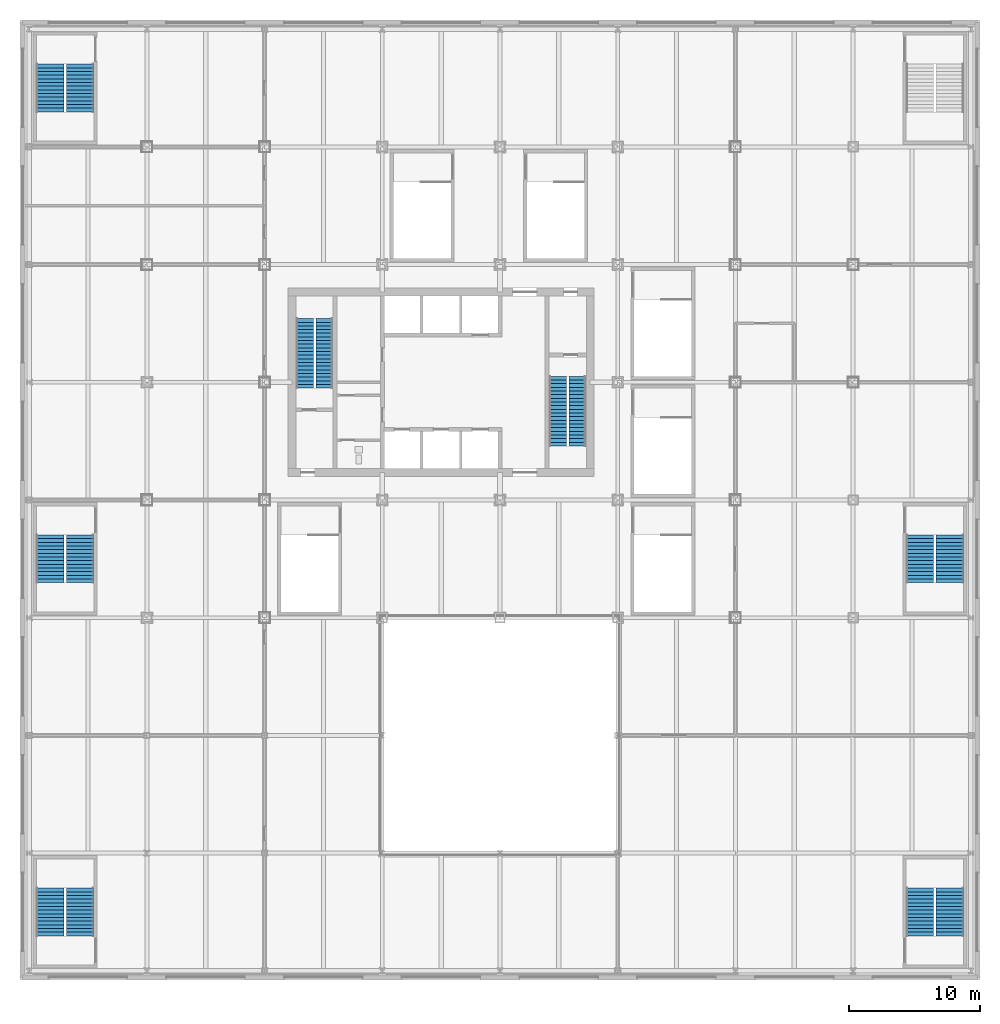
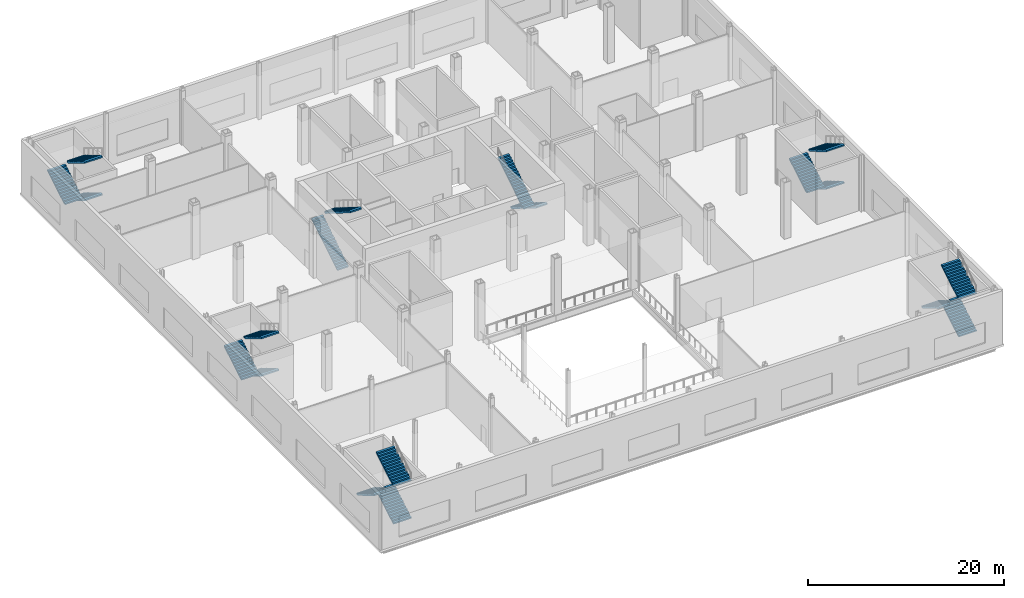
# One storey, part 16 of 32: 19 stair flights, 7 elements without a shape of their own.
"""IFC4 building model written with IfcOpenShell, lengths in metres."""

from ifc_helpers import new_model, si_unit, direction, frame, origin, place, context, subcontext, project, spatial, polyline, outline, extrude, material, type_object, element, aggregate, save


model = new_model("IFC4")

# Units and contexts
model_context = context("Model", 3, precision=1e-05, world=origin(), true_north=direction((0.0, 1.0)))
body_context = subcontext(model_context, "Body", "Model", "MODEL_VIEW")
ifc_project = project(units=[si_unit("LENGTHUNIT", "METRE"), si_unit("AREAUNIT", "SQUARE_METRE"), si_unit("VOLUMEUNIT", "CUBIC_METRE"), si_unit("PLANEANGLEUNIT", "RADIAN"), si_unit("MASSUNIT", "GRAM", prefix="KILO")], contexts=[model_context])

# Site, building, storey
site_placement = place(None, origin())
site = spatial("IfcSite", under=ifc_project, at=site_placement, CompositionType="ELEMENT")
building_placement = place(site_placement, origin())
building = spatial("IfcBuilding", under=site, at=building_placement, Name="Loomwork Tower", CompositionType="ELEMENT")
storey_placement = place(building_placement, frame((0.0, 0.0, 16.0)))
storey = spatial("IfcBuildingStorey", under=building, at=storey_placement, Name="L03", CompositionType="ELEMENT", Elevation=16.0)

# Stair, stair flights
ifc_material_1 = material(Name="Concrete 5000 psi (34 MPa) precast stair", Category="concrete")
stair_type_1 = type_object("IfcStairType", Name="Stair ST-A 40 risers 2850 wide", PredefinedType="HALF_TURN_STAIR", material=ifc_material_1)
stair_1_placement = place(storey_placement, origin())
stair_1 = element("IfcStair", 1, at=stair_1_placement, inside=storey, type_object=stair_type_1, Name="Stair A L03", PredefinedType="HALF_TURN_STAIR")
ifc_material_2 = material(Name="Concrete 5000 psi (34 MPa) precast stair", Category="concrete")
stair_flight_type_1 = type_object("IfcStairFlightType", Name="Stair flight ST-A 20 risers 1300 wide", PredefinedType="STRAIGHT", material=ifc_material_2)
stair_flight_1_placement = place(storey_placement, frame((12.074951171875, 17.550048828125, 0.0), z_axis=(0.0, 0.0, 1.0), x_axis=(0.0, 1.0, 0.0)))
stair_flight_1 = element("IfcStairFlight", 2, at=stair_flight_1_placement, type_object=stair_flight_type_1, Name="ST-A flight 1", NumberOfRisers=20, NumberOfTreads=19, PredefinedType="STRAIGHT", RiserHeight=0.175, TreadLength=0.28, context=body_context, shape_type="SweptSolid", body=[
    extrude(outline(polyline([(0.0, 0.0), (0.0, 0.175048828125), (0.280029296875, 0.175048828125), (0.280029296875, 0.35009765625), (0.56005859375, 0.35009765625), (0.56005859375, 0.52490234375), (0.840087890625, 0.52490234375), (0.840087890625, 0.699951171875), (1.1201171875, 0.699951171875), (1.1201171875, 0.875), (1.39990234375, 0.875), (1.39990234375, 1.050048828125), (1.679931640625, 1.050048828125), (1.679931640625, 1.22509765625), (1.9599609375, 1.22509765625), (1.9599609375, 1.39990234375), (2.239990234375, 1.39990234375), (2.239990234375, 1.574951171875), (2.52001953125, 1.574951171875), (2.52001953125, 1.75), (2.800048828125, 1.75), (2.800048828125, 1.925048828125), (3.080078125, 1.925048828125), (3.080078125, 2.10009765625), (3.360107421875, 2.10009765625), (3.360107421875, 2.27490234375), (3.639892578125, 2.27490234375), (3.639892578125, 2.449951171875), (3.919921875, 2.449951171875), (3.919921875, 2.625), (4.199951171875, 2.625), (4.199951171875, 2.800048828125), (4.47998046875, 2.800048828125), (4.47998046875, 2.97509765625), (4.760009765625, 2.97509765625), (4.760009765625, 3.14990234375), (5.0400390625, 3.14990234375), (5.0400390625, 3.324951171875), (5.320068359375, 3.324951171875), (5.320068359375, 3.5), (5.320068359375, 3.148193359375), (0.28271484375, 0.0), (0.0, 0.0)])), frame((0.0, 0.64990234375, 0.0), z_axis=(0.0, -1.0, 0.0), x_axis=(1.0, 0.0, 0.0)), (0.0, 0.0, 1.0), 1.300048828125),
])
stair_flight_2_placement = place(storey_placement, frame((13.574951171875, 22.8701171875, 3.5), z_axis=(0.0, 0.0, 1.0), x_axis=(0.0, -1.0, 0.0)))
stair_flight_2 = element("IfcStairFlight", 3, at=stair_flight_2_placement, type_object=stair_flight_type_1, Name="ST-A flight 2", NumberOfRisers=20, NumberOfTreads=19, PredefinedType="STRAIGHT", RiserHeight=0.175, TreadLength=0.28, context=body_context, shape_type="SweptSolid", body=[
    extrude(outline(polyline([(0.0, 0.0), (0.0, 0.175048828125), (0.280029296875, 0.175048828125), (0.280029296875, 0.35009765625), (0.56005859375, 0.35009765625), (0.56005859375, 0.52490234375), (0.840087890625, 0.52490234375), (0.840087890625, 0.699951171875), (1.1201171875, 0.699951171875), (1.1201171875, 0.875), (1.39990234375, 0.875), (1.39990234375, 1.050048828125), (1.679931640625, 1.050048828125), (1.679931640625, 1.22509765625), (1.9599609375, 1.22509765625), (1.9599609375, 1.39990234375), (2.239990234375, 1.39990234375), (2.239990234375, 1.574951171875), (2.52001953125, 1.574951171875), (2.52001953125, 1.75), (2.800048828125, 1.75), (2.800048828125, 1.925048828125), (3.080078125, 1.925048828125), (3.080078125, 2.10009765625), (3.360107421875, 2.10009765625), (3.360107421875, 2.27490234375), (3.639892578125, 2.27490234375), (3.639892578125, 2.449951171875), (3.919921875, 2.449951171875), (3.919921875, 2.625), (4.199951171875, 2.625), (4.199951171875, 2.800048828125), (4.47998046875, 2.800048828125), (4.47998046875, 2.97509765625), (4.760009765625, 2.97509765625), (4.760009765625, 3.14990234375), (5.0400390625, 3.14990234375), (5.0400390625, 3.324951171875), (5.320068359375, 3.324951171875), (5.320068359375, 3.5), (5.320068359375, 3.148193359375), (0.28271484375, 0.0), (0.0, 0.0)])), frame((0.0, 0.64990234375, 0.0), z_axis=(0.0, -1.0, 0.0), x_axis=(1.0, 0.0, 0.0)), (0.0, 0.0, 1.0), 1.300048828125),
])
aggregate(stair_1, [stair_flight_1, stair_flight_2])

ifc_material_3 = material(Name="Concrete 5000 psi (34 MPa) precast stair", Category="concrete")
stair_type_2 = type_object("IfcStairType", Name="Stair ST-B 40 risers 2850 wide", PredefinedType="HALF_TURN_STAIR", material=ifc_material_3)
stair_2_placement = place(storey_placement, origin())
stair_2 = element("IfcStair", 4, at=stair_2_placement, inside=storey, type_object=stair_type_2, Name="Stair B L03", PredefinedType="HALF_TURN_STAIR")
ifc_material_4 = material(Name="Concrete 5000 psi (34 MPa) precast stair", Category="concrete")
stair_flight_type_2 = type_object("IfcStairFlightType", Name="Stair flight ST-B 20 risers 1300 wide", PredefinedType="STRAIGHT", material=ifc_material_4)
stair_flight_3_placement = place(storey_placement, frame((32.925048828125, 18.449951171875, 0.0), z_axis=(0.0, 0.0, 1.0), x_axis=(0.0, -1.0, 0.0)))
stair_flight_3 = element("IfcStairFlight", 5, at=stair_flight_3_placement, type_object=stair_flight_type_2, Name="ST-B flight 1", NumberOfRisers=20, NumberOfTreads=19, PredefinedType="STRAIGHT", RiserHeight=0.175, TreadLength=0.28, context=body_context, shape_type="SweptSolid", body=[
    extrude(outline(polyline([(0.0, 0.0), (0.0, 0.175048828125), (0.280029296875, 0.175048828125), (0.280029296875, 0.35009765625), (0.56005859375, 0.35009765625), (0.56005859375, 0.52490234375), (0.840087890625, 0.52490234375), (0.840087890625, 0.699951171875), (1.1201171875, 0.699951171875), (1.1201171875, 0.875), (1.39990234375, 0.875), (1.39990234375, 1.050048828125), (1.679931640625, 1.050048828125), (1.679931640625, 1.22509765625), (1.9599609375, 1.22509765625), (1.9599609375, 1.39990234375), (2.239990234375, 1.39990234375), (2.239990234375, 1.574951171875), (2.52001953125, 1.574951171875), (2.52001953125, 1.75), (2.800048828125, 1.75), (2.800048828125, 1.925048828125), (3.080078125, 1.925048828125), (3.080078125, 2.10009765625), (3.360107421875, 2.10009765625), (3.360107421875, 2.27490234375), (3.639892578125, 2.27490234375), (3.639892578125, 2.449951171875), (3.919921875, 2.449951171875), (3.919921875, 2.625), (4.199951171875, 2.625), (4.199951171875, 2.800048828125), (4.47998046875, 2.800048828125), (4.47998046875, 2.97509765625), (4.760009765625, 2.97509765625), (4.760009765625, 3.14990234375), (5.0400390625, 3.14990234375), (5.0400390625, 3.324951171875), (5.320068359375, 3.324951171875), (5.320068359375, 3.5), (5.320068359375, 3.148193359375), (0.28271484375, 0.0), (0.0, 0.0)])), frame((0.0, 0.64990234375, 0.0), z_axis=(0.0, -1.0, 0.0), x_axis=(1.0, 0.0, 0.0)), (0.0, 0.0, 1.0), 1.300048828125),
])
stair_flight_4_placement = place(storey_placement, frame((31.425048828125, 13.1298828125, 3.5), z_axis=(0.0, 0.0, 1.0), x_axis=(0.0, 1.0, 0.0)))
stair_flight_4 = element("IfcStairFlight", 6, at=stair_flight_4_placement, type_object=stair_flight_type_2, Name="ST-B flight 2", NumberOfRisers=20, NumberOfTreads=19, PredefinedType="STRAIGHT", RiserHeight=0.175, TreadLength=0.28, context=body_context, shape_type="SweptSolid", body=[
    extrude(outline(polyline([(0.0, 0.0), (0.0, 0.175048828125), (0.280029296875, 0.175048828125), (0.280029296875, 0.35009765625), (0.56005859375, 0.35009765625), (0.56005859375, 0.52490234375), (0.840087890625, 0.52490234375), (0.840087890625, 0.699951171875), (1.1201171875, 0.699951171875), (1.1201171875, 0.875), (1.39990234375, 0.875), (1.39990234375, 1.050048828125), (1.679931640625, 1.050048828125), (1.679931640625, 1.22509765625), (1.9599609375, 1.22509765625), (1.9599609375, 1.39990234375), (2.239990234375, 1.39990234375), (2.239990234375, 1.574951171875), (2.52001953125, 1.574951171875), (2.52001953125, 1.75), (2.800048828125, 1.75), (2.800048828125, 1.925048828125), (3.080078125, 1.925048828125), (3.080078125, 2.10009765625), (3.360107421875, 2.10009765625), (3.360107421875, 2.27490234375), (3.639892578125, 2.27490234375), (3.639892578125, 2.449951171875), (3.919921875, 2.449951171875), (3.919921875, 2.625), (4.199951171875, 2.625), (4.199951171875, 2.800048828125), (4.47998046875, 2.800048828125), (4.47998046875, 2.97509765625), (4.760009765625, 2.97509765625), (4.760009765625, 3.14990234375), (5.0400390625, 3.14990234375), (5.0400390625, 3.324951171875), (5.320068359375, 3.324951171875), (5.320068359375, 3.5), (5.320068359375, 3.148193359375), (0.28271484375, 0.0), (0.0, 0.0)])), frame((0.0, 0.64990234375, 0.0), z_axis=(0.0, -1.0, 0.0), x_axis=(1.0, 0.0, 0.0)), (0.0, 0.0, 1.0), 1.300048828125),
])
aggregate(stair_2, [stair_flight_3, stair_flight_4])

ifc_material_5 = material(Name="Concrete 5000 psi (34 MPa) precast stair", Category="concrete")
stair_type_3 = type_object("IfcStairType", Name="Stair ST-S1P 42 risers of 167 4400 wide", PredefinedType="HALF_TURN_STAIR", material=ifc_material_5)
stair_3_placement = place(storey_placement, origin())
stair_3 = element("IfcStair", 7, at=stair_3_placement, inside=storey, type_object=stair_type_3, Name="Podium stair PS1 L03", PredefinedType="HALF_TURN_STAIR")
ifc_material_6 = material(Name="Concrete 5000 psi (34 MPa) precast stair", Category="concrete")
stair_flight_type_3 = type_object("IfcStairFlightType", Name="Stair flight ST-S1P 14 risers of 167 2100 wide", PredefinedType="STRAIGHT", material=ifc_material_6)
stair_flight_5_placement = place(storey_placement, frame((-5.10009765625, -24.320068359375, 0.0), z_axis=(0.0, 0.0, 1.0), x_axis=(0.0, 1.0, 0.0)))
stair_flight_5 = element("IfcStairFlight", 8, at=stair_flight_5_placement, type_object=stair_flight_type_3, Name="ST-S1P flight 1", NumberOfRisers=14, NumberOfTreads=13, PredefinedType="STRAIGHT", RiserHeight=0.166666667, TreadLength=0.28, context=body_context, shape_type="SweptSolid", body=[
    extrude(outline(polyline([(0.0, 0.0), (0.0, 0.166748046875), (0.280029296875, 0.166748046875), (0.280029296875, 0.333251953125), (0.56005859375, 0.333251953125), (0.56005859375, 0.5), (0.840087890625, 0.5), (0.840087890625, 0.666748046875), (1.1201171875, 0.666748046875), (1.1201171875, 0.833251953125), (1.39990234375, 0.833251953125), (1.39990234375, 1.0), (1.679931640625, 1.0), (1.679931640625, 1.166748046875), (1.9599609375, 1.166748046875), (1.9599609375, 1.333251953125), (2.239990234375, 1.333251953125), (2.239990234375, 1.5), (2.52001953125, 1.5), (2.52001953125, 1.666748046875), (2.800048828125, 1.666748046875), (2.800048828125, 1.833251953125), (3.080078125, 1.833251953125), (3.080078125, 2.0), (3.360107421875, 2.0), (3.360107421875, 2.166748046875), (3.639892578125, 2.166748046875), (3.639892578125, 2.333251953125), (3.639892578125, 1.9921875), (0.29296875, 0.0), (0.0, 0.0)])), frame((0.0, 1.050048828125, 0.0), z_axis=(0.0, -1.0, 0.0), x_axis=(1.0, 0.0, 0.0)), (0.0, 0.0, 1.0), 2.10009765625),
])
stair_flight_6_placement = place(storey_placement, frame((-7.39990234375, -20.679931640625, 2.333251953125), z_axis=(0.0, 0.0, 1.0), x_axis=(0.0, -1.0, 0.0)))
stair_flight_6 = element("IfcStairFlight", 9, at=stair_flight_6_placement, type_object=stair_flight_type_3, Name="ST-S1P flight 2", NumberOfRisers=14, NumberOfTreads=13, PredefinedType="STRAIGHT", RiserHeight=0.166666667, TreadLength=0.28, context=body_context, shape_type="SweptSolid", body=[
    extrude(outline(polyline([(0.0, 0.0), (0.0, 0.166748046875), (0.280029296875, 0.166748046875), (0.280029296875, 0.333251953125), (0.56005859375, 0.333251953125), (0.56005859375, 0.5), (0.840087890625, 0.5), (0.840087890625, 0.666748046875), (1.1201171875, 0.666748046875), (1.1201171875, 0.833251953125), (1.39990234375, 0.833251953125), (1.39990234375, 1.0), (1.679931640625, 1.0), (1.679931640625, 1.166748046875), (1.9599609375, 1.166748046875), (1.9599609375, 1.333251953125), (2.239990234375, 1.333251953125), (2.239990234375, 1.5), (2.52001953125, 1.5), (2.52001953125, 1.666748046875), (2.800048828125, 1.666748046875), (2.800048828125, 1.833251953125), (3.080078125, 1.833251953125), (3.080078125, 2.0), (3.360107421875, 2.0), (3.360107421875, 2.166748046875), (3.639892578125, 2.166748046875), (3.639892578125, 2.333251953125), (3.639892578125, 1.9921875), (0.29296875, 0.0), (0.0, 0.0)])), frame((0.0, 1.050048828125, 0.0), z_axis=(0.0, -1.0, 0.0), x_axis=(1.0, 0.0, 0.0)), (0.0, 0.0, 1.0), 2.10009765625),
])
stair_flight_7_placement = place(storey_placement, frame((-5.10009765625, -24.320068359375, 4.666748046875), z_axis=(0.0, 0.0, 1.0), x_axis=(0.0, 1.0, 0.0)))
stair_flight_7 = element("IfcStairFlight", 10, at=stair_flight_7_placement, type_object=stair_flight_type_3, Name="ST-S1P flight 3", NumberOfRisers=14, NumberOfTreads=13, PredefinedType="STRAIGHT", RiserHeight=0.166666667, TreadLength=0.28, context=body_context, shape_type="SweptSolid", body=[
    extrude(outline(polyline([(0.0, 0.0), (0.0, 0.166748046875), (0.280029296875, 0.166748046875), (0.280029296875, 0.333251953125), (0.56005859375, 0.333251953125), (0.56005859375, 0.5), (0.840087890625, 0.5), (0.840087890625, 0.666748046875), (1.1201171875, 0.666748046875), (1.1201171875, 0.833251953125), (1.39990234375, 0.833251953125), (1.39990234375, 1.0), (1.679931640625, 1.0), (1.679931640625, 1.166748046875), (1.9599609375, 1.166748046875), (1.9599609375, 1.333251953125), (2.239990234375, 1.333251953125), (2.239990234375, 1.5), (2.52001953125, 1.5), (2.52001953125, 1.666748046875), (2.800048828125, 1.666748046875), (2.800048828125, 1.833251953125), (3.080078125, 1.833251953125), (3.080078125, 2.0), (3.360107421875, 2.0), (3.360107421875, 2.166748046875), (3.639892578125, 2.166748046875), (3.639892578125, 2.333251953125), (3.639892578125, 1.9921875), (0.29296875, 0.0), (0.0, 0.0)])), frame((0.0, 1.050048828125, 0.0), z_axis=(0.0, -1.0, 0.0), x_axis=(1.0, 0.0, 0.0)), (0.0, 0.0, 1.0), 2.10009765625),
])
aggregate(stair_3, [stair_flight_5, stair_flight_6, stair_flight_7])

ifc_material_7 = material(Name="Concrete 5000 psi (34 MPa) precast stair", Category="concrete")
stair_type_4 = type_object("IfcStairType", Name="Stair ST-S2P 42 risers of 167 4400 wide", PredefinedType="HALF_TURN_STAIR", material=ifc_material_7)
stair_4_placement = place(storey_placement, origin())
stair_4 = element("IfcStair", 11, at=stair_4_placement, inside=storey, type_object=stair_type_4, Name="Podium stair PS2 L03", PredefinedType="HALF_TURN_STAIR")
ifc_material_8 = material(Name="Concrete 5000 psi (34 MPa) precast stair", Category="concrete")
stair_flight_type_4 = type_object("IfcStairFlightType", Name="Stair flight ST-S2P 14 risers of 167 2100 wide", PredefinedType="STRAIGHT", material=ifc_material_8)
stair_flight_8_placement = place(storey_placement, frame((61.39990234375, -24.320068359375, 0.0), z_axis=(0.0, 0.0, 1.0), x_axis=(0.0, 1.0, 0.0)))
stair_flight_8 = element("IfcStairFlight", 12, at=stair_flight_8_placement, type_object=stair_flight_type_4, Name="ST-S2P flight 1", NumberOfRisers=14, NumberOfTreads=13, PredefinedType="STRAIGHT", RiserHeight=0.166666667, TreadLength=0.28, context=body_context, shape_type="SweptSolid", body=[
    extrude(outline(polyline([(0.0, 0.0), (0.0, 0.166748046875), (0.280029296875, 0.166748046875), (0.280029296875, 0.333251953125), (0.56005859375, 0.333251953125), (0.56005859375, 0.5), (0.840087890625, 0.5), (0.840087890625, 0.666748046875), (1.1201171875, 0.666748046875), (1.1201171875, 0.833251953125), (1.39990234375, 0.833251953125), (1.39990234375, 1.0), (1.679931640625, 1.0), (1.679931640625, 1.166748046875), (1.9599609375, 1.166748046875), (1.9599609375, 1.333251953125), (2.239990234375, 1.333251953125), (2.239990234375, 1.5), (2.52001953125, 1.5), (2.52001953125, 1.666748046875), (2.800048828125, 1.666748046875), (2.800048828125, 1.833251953125), (3.080078125, 1.833251953125), (3.080078125, 2.0), (3.360107421875, 2.0), (3.360107421875, 2.166748046875), (3.639892578125, 2.166748046875), (3.639892578125, 2.333251953125), (3.639892578125, 1.9921875), (0.29296875, 0.0), (0.0, 0.0)])), frame((0.0, 1.050048828125, 0.0), z_axis=(0.0, -1.0, 0.0), x_axis=(1.0, 0.0, 0.0)), (0.0, 0.0, 1.0), 2.10009765625),
])
stair_flight_9_placement = place(storey_placement, frame((59.10009765625, -20.679931640625, 2.333251953125), z_axis=(0.0, 0.0, 1.0), x_axis=(0.0, -1.0, 0.0)))
stair_flight_9 = element("IfcStairFlight", 13, at=stair_flight_9_placement, type_object=stair_flight_type_4, Name="ST-S2P flight 2", NumberOfRisers=14, NumberOfTreads=13, PredefinedType="STRAIGHT", RiserHeight=0.166666667, TreadLength=0.28, context=body_context, shape_type="SweptSolid", body=[
    extrude(outline(polyline([(0.0, 0.0), (0.0, 0.166748046875), (0.280029296875, 0.166748046875), (0.280029296875, 0.333251953125), (0.56005859375, 0.333251953125), (0.56005859375, 0.5), (0.840087890625, 0.5), (0.840087890625, 0.666748046875), (1.1201171875, 0.666748046875), (1.1201171875, 0.833251953125), (1.39990234375, 0.833251953125), (1.39990234375, 1.0), (1.679931640625, 1.0), (1.679931640625, 1.166748046875), (1.9599609375, 1.166748046875), (1.9599609375, 1.333251953125), (2.239990234375, 1.333251953125), (2.239990234375, 1.5), (2.52001953125, 1.5), (2.52001953125, 1.666748046875), (2.800048828125, 1.666748046875), (2.800048828125, 1.833251953125), (3.080078125, 1.833251953125), (3.080078125, 2.0), (3.360107421875, 2.0), (3.360107421875, 2.166748046875), (3.639892578125, 2.166748046875), (3.639892578125, 2.333251953125), (3.639892578125, 1.9921875), (0.29296875, 0.0), (0.0, 0.0)])), frame((0.0, 1.050048828125, 0.0), z_axis=(0.0, -1.0, 0.0), x_axis=(1.0, 0.0, 0.0)), (0.0, 0.0, 1.0), 2.10009765625),
])
stair_flight_10_placement = place(storey_placement, frame((61.39990234375, -24.320068359375, 4.666748046875), z_axis=(0.0, 0.0, 1.0), x_axis=(0.0, 1.0, 0.0)))
stair_flight_10 = element("IfcStairFlight", 14, at=stair_flight_10_placement, type_object=stair_flight_type_4, Name="ST-S2P flight 3", NumberOfRisers=14, NumberOfTreads=13, PredefinedType="STRAIGHT", RiserHeight=0.166666667, TreadLength=0.28, context=body_context, shape_type="SweptSolid", body=[
    extrude(outline(polyline([(0.0, 0.0), (0.0, 0.166748046875), (0.280029296875, 0.166748046875), (0.280029296875, 0.333251953125), (0.56005859375, 0.333251953125), (0.56005859375, 0.5), (0.840087890625, 0.5), (0.840087890625, 0.666748046875), (1.1201171875, 0.666748046875), (1.1201171875, 0.833251953125), (1.39990234375, 0.833251953125), (1.39990234375, 1.0), (1.679931640625, 1.0), (1.679931640625, 1.166748046875), (1.9599609375, 1.166748046875), (1.9599609375, 1.333251953125), (2.239990234375, 1.333251953125), (2.239990234375, 1.5), (2.52001953125, 1.5), (2.52001953125, 1.666748046875), (2.800048828125, 1.666748046875), (2.800048828125, 1.833251953125), (3.080078125, 1.833251953125), (3.080078125, 2.0), (3.360107421875, 2.0), (3.360107421875, 2.166748046875), (3.639892578125, 2.166748046875), (3.639892578125, 2.333251953125), (3.639892578125, 1.9921875), (0.29296875, 0.0), (0.0, 0.0)])), frame((0.0, 1.050048828125, 0.0), z_axis=(0.0, -1.0, 0.0), x_axis=(1.0, 0.0, 0.0)), (0.0, 0.0, 1.0), 2.10009765625),
])
aggregate(stair_4, [stair_flight_8, stair_flight_9, stair_flight_10])

ifc_material_9 = material(Name="Concrete 5000 psi (34 MPa) precast stair", Category="concrete")
stair_type_5 = type_object("IfcStairType", Name="Stair ST-S3P 42 risers of 167 4400 wide", PredefinedType="HALF_TURN_STAIR", material=ifc_material_9)
stair_5_placement = place(storey_placement, origin())
stair_5 = element("IfcStair", 15, at=stair_5_placement, inside=storey, type_object=stair_type_5, Name="Podium stair PS3 L03", PredefinedType="HALF_TURN_STAIR")
ifc_material_10 = material(Name="Concrete 5000 psi (34 MPa) precast stair", Category="concrete")
stair_flight_type_5 = type_object("IfcStairFlightType", Name="Stair flight ST-S3P 14 risers of 167 2100 wide", PredefinedType="STRAIGHT", material=ifc_material_10)
stair_flight_11_placement = place(storey_placement, frame((-5.10009765625, 42.320068359375, 0.0), z_axis=(0.0, 0.0, 1.0), x_axis=(0.0, -1.0, 0.0)))
stair_flight_11 = element("IfcStairFlight", 16, at=stair_flight_11_placement, type_object=stair_flight_type_5, Name="ST-S3P flight 1", NumberOfRisers=14, NumberOfTreads=13, PredefinedType="STRAIGHT", RiserHeight=0.166666667, TreadLength=0.28, context=body_context, shape_type="SweptSolid", body=[
    extrude(outline(polyline([(0.0, 0.0), (0.0, 0.166748046875), (0.280029296875, 0.166748046875), (0.280029296875, 0.333251953125), (0.56005859375, 0.333251953125), (0.56005859375, 0.5), (0.840087890625, 0.5), (0.840087890625, 0.666748046875), (1.1201171875, 0.666748046875), (1.1201171875, 0.833251953125), (1.39990234375, 0.833251953125), (1.39990234375, 1.0), (1.679931640625, 1.0), (1.679931640625, 1.166748046875), (1.9599609375, 1.166748046875), (1.9599609375, 1.333251953125), (2.239990234375, 1.333251953125), (2.239990234375, 1.5), (2.52001953125, 1.5), (2.52001953125, 1.666748046875), (2.800048828125, 1.666748046875), (2.800048828125, 1.833251953125), (3.080078125, 1.833251953125), (3.080078125, 2.0), (3.360107421875, 2.0), (3.360107421875, 2.166748046875), (3.639892578125, 2.166748046875), (3.639892578125, 2.333251953125), (3.639892578125, 1.9921875), (0.29296875, 0.0), (0.0, 0.0)])), frame((0.0, 1.050048828125, 0.0), z_axis=(0.0, -1.0, 0.0), x_axis=(1.0, 0.0, 0.0)), (0.0, 0.0, 1.0), 2.10009765625),
])
stair_flight_12_placement = place(storey_placement, frame((-7.39990234375, 38.679931640625, 2.333251953125), z_axis=(0.0, 0.0, 1.0), x_axis=(0.0, 1.0, 0.0)))
stair_flight_12 = element("IfcStairFlight", 17, at=stair_flight_12_placement, type_object=stair_flight_type_5, Name="ST-S3P flight 2", NumberOfRisers=14, NumberOfTreads=13, PredefinedType="STRAIGHT", RiserHeight=0.166666667, TreadLength=0.28, context=body_context, shape_type="SweptSolid", body=[
    extrude(outline(polyline([(0.0, 0.0), (0.0, 0.166748046875), (0.280029296875, 0.166748046875), (0.280029296875, 0.333251953125), (0.56005859375, 0.333251953125), (0.56005859375, 0.5), (0.840087890625, 0.5), (0.840087890625, 0.666748046875), (1.1201171875, 0.666748046875), (1.1201171875, 0.833251953125), (1.39990234375, 0.833251953125), (1.39990234375, 1.0), (1.679931640625, 1.0), (1.679931640625, 1.166748046875), (1.9599609375, 1.166748046875), (1.9599609375, 1.333251953125), (2.239990234375, 1.333251953125), (2.239990234375, 1.5), (2.52001953125, 1.5), (2.52001953125, 1.666748046875), (2.800048828125, 1.666748046875), (2.800048828125, 1.833251953125), (3.080078125, 1.833251953125), (3.080078125, 2.0), (3.360107421875, 2.0), (3.360107421875, 2.166748046875), (3.639892578125, 2.166748046875), (3.639892578125, 2.333251953125), (3.639892578125, 1.9921875), (0.29296875, 0.0), (0.0, 0.0)])), frame((0.0, 1.050048828125, 0.0), z_axis=(0.0, -1.0, 0.0), x_axis=(1.0, 0.0, 0.0)), (0.0, 0.0, 1.0), 2.10009765625),
])
stair_flight_13_placement = place(storey_placement, frame((-5.10009765625, 42.320068359375, 4.666748046875), z_axis=(0.0, 0.0, 1.0), x_axis=(0.0, -1.0, 0.0)))
stair_flight_13 = element("IfcStairFlight", 18, at=stair_flight_13_placement, type_object=stair_flight_type_5, Name="ST-S3P flight 3", NumberOfRisers=14, NumberOfTreads=13, PredefinedType="STRAIGHT", RiserHeight=0.166666667, TreadLength=0.28, context=body_context, shape_type="SweptSolid", body=[
    extrude(outline(polyline([(0.0, 0.0), (0.0, 0.166748046875), (0.280029296875, 0.166748046875), (0.280029296875, 0.333251953125), (0.56005859375, 0.333251953125), (0.56005859375, 0.5), (0.840087890625, 0.5), (0.840087890625, 0.666748046875), (1.1201171875, 0.666748046875), (1.1201171875, 0.833251953125), (1.39990234375, 0.833251953125), (1.39990234375, 1.0), (1.679931640625, 1.0), (1.679931640625, 1.166748046875), (1.9599609375, 1.166748046875), (1.9599609375, 1.333251953125), (2.239990234375, 1.333251953125), (2.239990234375, 1.5), (2.52001953125, 1.5), (2.52001953125, 1.666748046875), (2.800048828125, 1.666748046875), (2.800048828125, 1.833251953125), (3.080078125, 1.833251953125), (3.080078125, 2.0), (3.360107421875, 2.0), (3.360107421875, 2.166748046875), (3.639892578125, 2.166748046875), (3.639892578125, 2.333251953125), (3.639892578125, 1.9921875), (0.29296875, 0.0), (0.0, 0.0)])), frame((0.0, 1.050048828125, 0.0), z_axis=(0.0, -1.0, 0.0), x_axis=(1.0, 0.0, 0.0)), (0.0, 0.0, 1.0), 2.10009765625),
])
aggregate(stair_5, [stair_flight_11, stair_flight_12, stair_flight_13])

ifc_material_11 = material(Name="Concrete 5000 psi (34 MPa) precast stair", Category="concrete")
stair_type_6 = type_object("IfcStairType", Name="Stair ST-S5P 42 risers of 167 4400 wide", PredefinedType="HALF_TURN_STAIR", material=ifc_material_11)
stair_6_placement = place(storey_placement, origin())
stair_6 = element("IfcStair", 19, at=stair_6_placement, inside=storey, type_object=stair_type_6, Name="Podium stair PS5 L03", PredefinedType="HALF_TURN_STAIR")
ifc_material_12 = material(Name="Concrete 5000 psi (34 MPa) precast stair", Category="concrete")
stair_flight_type_6 = type_object("IfcStairFlightType", Name="Stair flight ST-S5P 14 risers of 167 2100 wide", PredefinedType="STRAIGHT", material=ifc_material_12)
stair_flight_14_placement = place(storey_placement, frame((-5.10009765625, 6.320068359375, 0.0), z_axis=(0.0, 0.0, 1.0), x_axis=(0.0, -1.0, 0.0)))
stair_flight_14 = element("IfcStairFlight", 20, at=stair_flight_14_placement, type_object=stair_flight_type_6, Name="ST-S5P flight 1", NumberOfRisers=14, NumberOfTreads=13, PredefinedType="STRAIGHT", RiserHeight=0.166666667, TreadLength=0.28, context=body_context, shape_type="SweptSolid", body=[
    extrude(outline(polyline([(0.0, 0.0), (0.0, 0.166748046875), (0.280029296875, 0.166748046875), (0.280029296875, 0.333251953125), (0.56005859375, 0.333251953125), (0.56005859375, 0.5), (0.840087890625, 0.5), (0.840087890625, 0.666748046875), (1.1201171875, 0.666748046875), (1.1201171875, 0.833251953125), (1.39990234375, 0.833251953125), (1.39990234375, 1.0), (1.679931640625, 1.0), (1.679931640625, 1.166748046875), (1.9599609375, 1.166748046875), (1.9599609375, 1.333251953125), (2.239990234375, 1.333251953125), (2.239990234375, 1.5), (2.52001953125, 1.5), (2.52001953125, 1.666748046875), (2.800048828125, 1.666748046875), (2.800048828125, 1.833251953125), (3.080078125, 1.833251953125), (3.080078125, 2.0), (3.360107421875, 2.0), (3.360107421875, 2.166748046875), (3.639892578125, 2.166748046875), (3.639892578125, 2.333251953125), (3.639892578125, 1.9921875), (0.29296875, 0.0), (0.0, 0.0)])), frame((0.0, 1.050048828125, 0.0), z_axis=(0.0, -1.0, 0.0), x_axis=(1.0, 0.0, 0.0)), (0.0, 0.0, 1.0), 2.10009765625),
])
stair_flight_15_placement = place(storey_placement, frame((-7.39990234375, 2.679931640625, 2.333251953125), z_axis=(0.0, 0.0, 1.0), x_axis=(0.0, 1.0, 0.0)))
stair_flight_15 = element("IfcStairFlight", 21, at=stair_flight_15_placement, type_object=stair_flight_type_6, Name="ST-S5P flight 2", NumberOfRisers=14, NumberOfTreads=13, PredefinedType="STRAIGHT", RiserHeight=0.166666667, TreadLength=0.28, context=body_context, shape_type="SweptSolid", body=[
    extrude(outline(polyline([(0.0, 0.0), (0.0, 0.166748046875), (0.280029296875, 0.166748046875), (0.280029296875, 0.333251953125), (0.56005859375, 0.333251953125), (0.56005859375, 0.5), (0.840087890625, 0.5), (0.840087890625, 0.666748046875), (1.1201171875, 0.666748046875), (1.1201171875, 0.833251953125), (1.39990234375, 0.833251953125), (1.39990234375, 1.0), (1.679931640625, 1.0), (1.679931640625, 1.166748046875), (1.9599609375, 1.166748046875), (1.9599609375, 1.333251953125), (2.239990234375, 1.333251953125), (2.239990234375, 1.5), (2.52001953125, 1.5), (2.52001953125, 1.666748046875), (2.800048828125, 1.666748046875), (2.800048828125, 1.833251953125), (3.080078125, 1.833251953125), (3.080078125, 2.0), (3.360107421875, 2.0), (3.360107421875, 2.166748046875), (3.639892578125, 2.166748046875), (3.639892578125, 2.333251953125), (3.639892578125, 1.9921875), (0.29296875, 0.0), (0.0, 0.0)])), frame((0.0, 1.050048828125, 0.0), z_axis=(0.0, -1.0, 0.0), x_axis=(1.0, 0.0, 0.0)), (0.0, 0.0, 1.0), 2.10009765625),
])
stair_flight_16_placement = place(storey_placement, frame((-5.10009765625, 6.320068359375, 4.666748046875), z_axis=(0.0, 0.0, 1.0), x_axis=(0.0, -1.0, 0.0)))
stair_flight_16 = element("IfcStairFlight", 22, at=stair_flight_16_placement, type_object=stair_flight_type_6, Name="ST-S5P flight 3", NumberOfRisers=14, NumberOfTreads=13, PredefinedType="STRAIGHT", RiserHeight=0.166666667, TreadLength=0.28, context=body_context, shape_type="SweptSolid", body=[
    extrude(outline(polyline([(0.0, 0.0), (0.0, 0.166748046875), (0.280029296875, 0.166748046875), (0.280029296875, 0.333251953125), (0.56005859375, 0.333251953125), (0.56005859375, 0.5), (0.840087890625, 0.5), (0.840087890625, 0.666748046875), (1.1201171875, 0.666748046875), (1.1201171875, 0.833251953125), (1.39990234375, 0.833251953125), (1.39990234375, 1.0), (1.679931640625, 1.0), (1.679931640625, 1.166748046875), (1.9599609375, 1.166748046875), (1.9599609375, 1.333251953125), (2.239990234375, 1.333251953125), (2.239990234375, 1.5), (2.52001953125, 1.5), (2.52001953125, 1.666748046875), (2.800048828125, 1.666748046875), (2.800048828125, 1.833251953125), (3.080078125, 1.833251953125), (3.080078125, 2.0), (3.360107421875, 2.0), (3.360107421875, 2.166748046875), (3.639892578125, 2.166748046875), (3.639892578125, 2.333251953125), (3.639892578125, 1.9921875), (0.29296875, 0.0), (0.0, 0.0)])), frame((0.0, 1.050048828125, 0.0), z_axis=(0.0, -1.0, 0.0), x_axis=(1.0, 0.0, 0.0)), (0.0, 0.0, 1.0), 2.10009765625),
])
aggregate(stair_6, [stair_flight_14, stair_flight_15, stair_flight_16])

ifc_material_13 = material(Name="Concrete 5000 psi (34 MPa) precast stair", Category="concrete")
stair_type_7 = type_object("IfcStairType", Name="Stair ST-S6P 42 risers of 167 4400 wide", PredefinedType="HALF_TURN_STAIR", material=ifc_material_13)
stair_7_placement = place(storey_placement, origin())
stair_7 = element("IfcStair", 23, at=stair_7_placement, inside=storey, type_object=stair_type_7, Name="Podium stair PS6 L03", PredefinedType="HALF_TURN_STAIR")
ifc_material_14 = material(Name="Concrete 5000 psi (34 MPa) precast stair", Category="concrete")
stair_flight_type_7 = type_object("IfcStairFlightType", Name="Stair flight ST-S6P 14 risers of 167 2100 wide", PredefinedType="STRAIGHT", material=ifc_material_14)
stair_flight_17_placement = place(storey_placement, frame((61.39990234375, 6.320068359375, 0.0), z_axis=(0.0, 0.0, 1.0), x_axis=(0.0, -1.0, 0.0)))
stair_flight_17 = element("IfcStairFlight", 24, at=stair_flight_17_placement, type_object=stair_flight_type_7, Name="ST-S6P flight 1", NumberOfRisers=14, NumberOfTreads=13, PredefinedType="STRAIGHT", RiserHeight=0.166666667, TreadLength=0.28, context=body_context, shape_type="SweptSolid", body=[
    extrude(outline(polyline([(0.0, 0.0), (0.0, 0.166748046875), (0.280029296875, 0.166748046875), (0.280029296875, 0.333251953125), (0.56005859375, 0.333251953125), (0.56005859375, 0.5), (0.840087890625, 0.5), (0.840087890625, 0.666748046875), (1.1201171875, 0.666748046875), (1.1201171875, 0.833251953125), (1.39990234375, 0.833251953125), (1.39990234375, 1.0), (1.679931640625, 1.0), (1.679931640625, 1.166748046875), (1.9599609375, 1.166748046875), (1.9599609375, 1.333251953125), (2.239990234375, 1.333251953125), (2.239990234375, 1.5), (2.52001953125, 1.5), (2.52001953125, 1.666748046875), (2.800048828125, 1.666748046875), (2.800048828125, 1.833251953125), (3.080078125, 1.833251953125), (3.080078125, 2.0), (3.360107421875, 2.0), (3.360107421875, 2.166748046875), (3.639892578125, 2.166748046875), (3.639892578125, 2.333251953125), (3.639892578125, 1.9921875), (0.29296875, 0.0), (0.0, 0.0)])), frame((0.0, 1.050048828125, 0.0), z_axis=(0.0, -1.0, 0.0), x_axis=(1.0, 0.0, 0.0)), (0.0, 0.0, 1.0), 2.10009765625),
])
stair_flight_18_placement = place(storey_placement, frame((59.10009765625, 2.679931640625, 2.333251953125), z_axis=(0.0, 0.0, 1.0), x_axis=(0.0, 1.0, 0.0)))
stair_flight_18 = element("IfcStairFlight", 25, at=stair_flight_18_placement, type_object=stair_flight_type_7, Name="ST-S6P flight 2", NumberOfRisers=14, NumberOfTreads=13, PredefinedType="STRAIGHT", RiserHeight=0.166666667, TreadLength=0.28, context=body_context, shape_type="SweptSolid", body=[
    extrude(outline(polyline([(0.0, 0.0), (0.0, 0.166748046875), (0.280029296875, 0.166748046875), (0.280029296875, 0.333251953125), (0.56005859375, 0.333251953125), (0.56005859375, 0.5), (0.840087890625, 0.5), (0.840087890625, 0.666748046875), (1.1201171875, 0.666748046875), (1.1201171875, 0.833251953125), (1.39990234375, 0.833251953125), (1.39990234375, 1.0), (1.679931640625, 1.0), (1.679931640625, 1.166748046875), (1.9599609375, 1.166748046875), (1.9599609375, 1.333251953125), (2.239990234375, 1.333251953125), (2.239990234375, 1.5), (2.52001953125, 1.5), (2.52001953125, 1.666748046875), (2.800048828125, 1.666748046875), (2.800048828125, 1.833251953125), (3.080078125, 1.833251953125), (3.080078125, 2.0), (3.360107421875, 2.0), (3.360107421875, 2.166748046875), (3.639892578125, 2.166748046875), (3.639892578125, 2.333251953125), (3.639892578125, 1.9921875), (0.29296875, 0.0), (0.0, 0.0)])), frame((0.0, 1.050048828125, 0.0), z_axis=(0.0, -1.0, 0.0), x_axis=(1.0, 0.0, 0.0)), (0.0, 0.0, 1.0), 2.10009765625),
])
stair_flight_19_placement = place(storey_placement, frame((61.39990234375, 6.320068359375, 4.666748046875), z_axis=(0.0, 0.0, 1.0), x_axis=(0.0, -1.0, 0.0)))
stair_flight_19 = element("IfcStairFlight", 26, at=stair_flight_19_placement, type_object=stair_flight_type_7, Name="ST-S6P flight 3", NumberOfRisers=14, NumberOfTreads=13, PredefinedType="STRAIGHT", RiserHeight=0.166666667, TreadLength=0.28, context=body_context, shape_type="SweptSolid", body=[
    extrude(outline(polyline([(0.0, 0.0), (0.0, 0.166748046875), (0.280029296875, 0.166748046875), (0.280029296875, 0.333251953125), (0.56005859375, 0.333251953125), (0.56005859375, 0.5), (0.840087890625, 0.5), (0.840087890625, 0.666748046875), (1.1201171875, 0.666748046875), (1.1201171875, 0.833251953125), (1.39990234375, 0.833251953125), (1.39990234375, 1.0), (1.679931640625, 1.0), (1.679931640625, 1.166748046875), (1.9599609375, 1.166748046875), (1.9599609375, 1.333251953125), (2.239990234375, 1.333251953125), (2.239990234375, 1.5), (2.52001953125, 1.5), (2.52001953125, 1.666748046875), (2.800048828125, 1.666748046875), (2.800048828125, 1.833251953125), (3.080078125, 1.833251953125), (3.080078125, 2.0), (3.360107421875, 2.0), (3.360107421875, 2.166748046875), (3.639892578125, 2.166748046875), (3.639892578125, 2.333251953125), (3.639892578125, 1.9921875), (0.29296875, 0.0), (0.0, 0.0)])), frame((0.0, 1.050048828125, 0.0), z_axis=(0.0, -1.0, 0.0), x_axis=(1.0, 0.0, 0.0)), (0.0, 0.0, 1.0), 2.10009765625),
])
aggregate(stair_7, [stair_flight_17, stair_flight_18, stair_flight_19])

save(model, "model.ifc")
